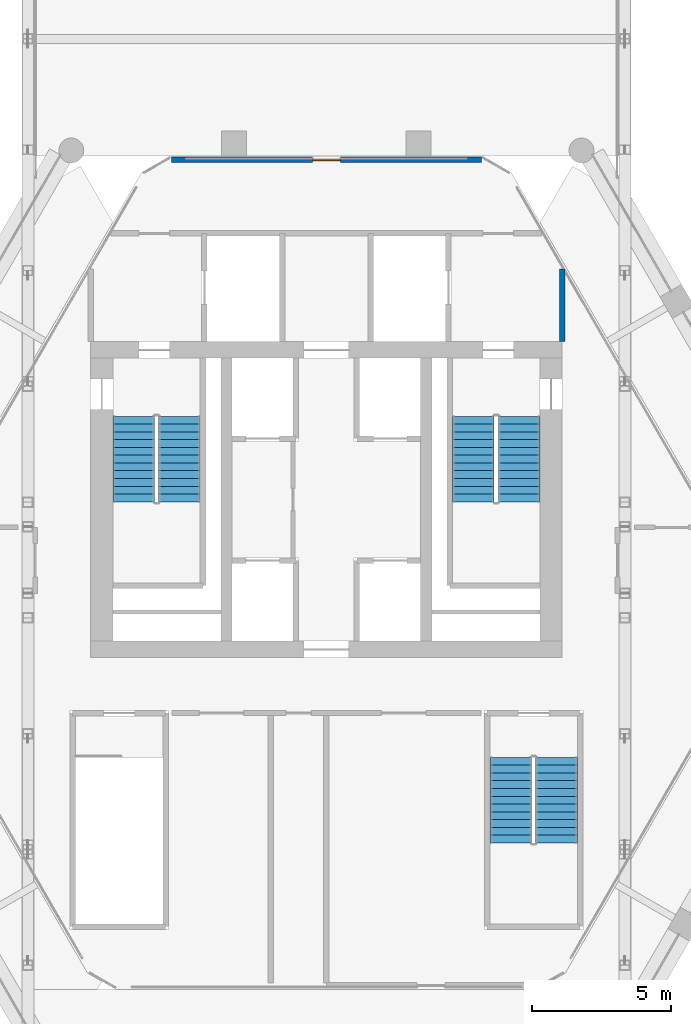
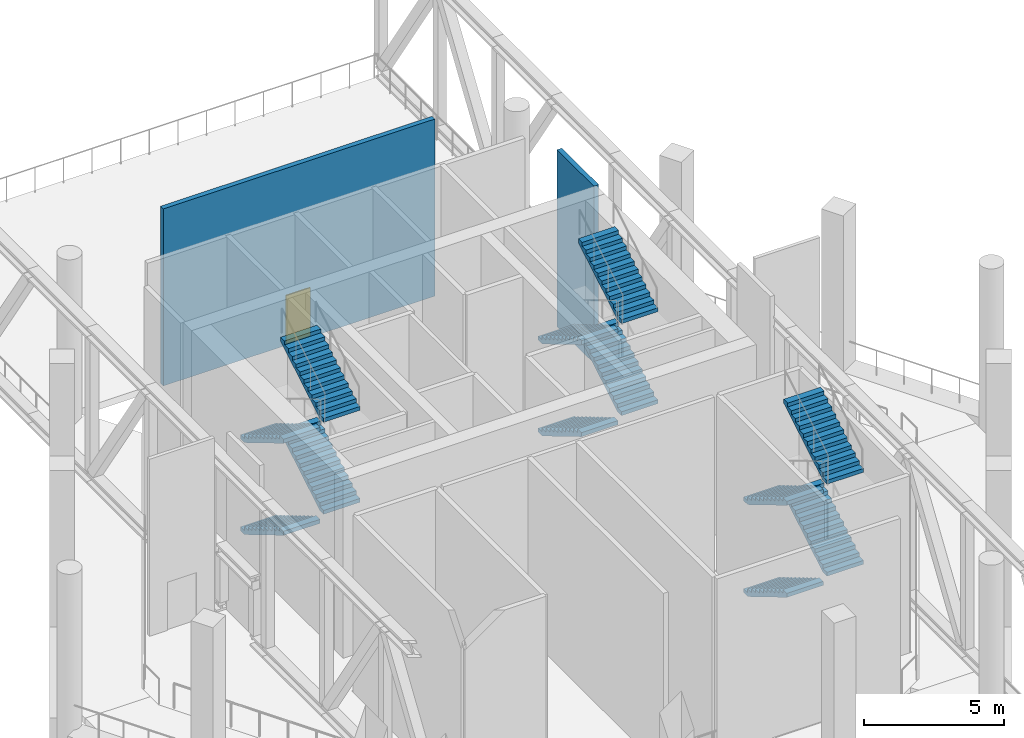
# One storey, part 7 of 14: 12 stair flights, 2 walls, 1 door, 1 opening, 3 elements without a shape of their own.
"""IFC4 building model written with IfcOpenShell, lengths in metres."""

from ifc_helpers import new_model, si_unit, direction, frame, frame_2d, origin, place, context, subcontext, project, spatial, polyline, rectangle, outline, extrude, material, layer, layer_set, type_object, element, fill, aggregate, save


model = new_model("IFC4")

# Units and contexts
model_context = context("Model", 3, precision=1e-05, world=origin(), true_north=direction((0.0, 1.0)))
body_context = subcontext(model_context, "Body", "Model", "MODEL_VIEW")
ifc_project = project(units=[si_unit("LENGTHUNIT", "METRE"), si_unit("AREAUNIT", "SQUARE_METRE"), si_unit("VOLUMEUNIT", "CUBIC_METRE"), si_unit("PLANEANGLEUNIT", "RADIAN"), si_unit("MASSUNIT", "GRAM", prefix="KILO")], contexts=[model_context])

# Site, building, storey
site_placement = place(None, origin())
site = spatial("IfcSite", under=ifc_project, at=site_placement, CompositionType="ELEMENT")
building_placement = place(site_placement, origin())
building = spatial("IfcBuilding", under=site, at=building_placement, Name="Ostrander Bayou Hotel Tower", CompositionType="ELEMENT")
storey_placement = place(building_placement, frame((0.0, 0.0, 237.0)))
storey = spatial("IfcBuildingStorey", under=building, at=storey_placement, Name="L59", CompositionType="ELEMENT", Elevation=237.0)

# Wall
ifc_material_1 = material(Name="Masonry block", Category="masonry")
ifc_layer_1 = layer(ifc_material_1, 0.199951171875)
ifc_layer_set_1 = layer_set([ifc_layer_1], Name="PT5 stair enclosure wall 200 mm masonry, 2 hour")
wall_type_1 = type_object("IfcWallType", Name="PT5 stair enclosure wall 200 mm masonry, 2 hour", PredefinedType="PARTITIONING", material=ifc_layer_set_1)
wall_1_placement = place(storey_placement, frame((8.5, 9.699951171875, 0.0), z_axis=(0.0, 0.0, 1.0), x_axis=(0.0, 1.0, 0.0)))
element("IfcWall", 1, at=wall_1_placement, inside=storey, type_object=wall_type_1, Name="cs:L59:025", PredefinedType="PARTITIONING", context=body_context, shape_type="SweptSolid", body=[
    extrude(rectangle(XDim=2.623046875, YDim=0.199951171875, at=frame_2d((1.3115234375, 0.0))), origin(), (0.0, 0.0, 1.0), 7.699951171875),
])

# Wall, opening, door
ifc_material_2 = material(Name="Masonry block", Category="masonry")
ifc_layer_2 = layer(ifc_material_2, 0.199951171875)
ifc_layer_set_2 = layer_set([ifc_layer_2], Name="PT9 exterior screen wall 200 mm masonry, 1 hour")
wall_type_2 = type_object("IfcWallType", Name="PT9 exterior screen wall 200 mm masonry, 1 hour", PredefinedType="PARTITIONING", material=ifc_layer_set_2)
wall_2_placement = place(storey_placement, frame((-5.586181640625, 16.25, 0.0), z_axis=(0.0, 0.0, 1.0), x_axis=(1.0, 0.0, 0.0)))
wall_2 = element("IfcWall", 2, at=wall_2_placement, inside=storey, type_object=wall_type_2, Name="sw:L59:009", PredefinedType="PARTITIONING", context=body_context, shape_type="SweptSolid", body=[
    extrude(rectangle(XDim=11.17236328125, YDim=0.199951171875, at=frame_2d((5.586181640625, 0.0))), origin(), (0.0, 0.0, 1.0), 7.699951171875),
])
opening_placement = place(wall_2_placement, frame((5.086181640625, 0.0, 0.0)))
opening = element("IfcOpeningElement", 3, at=opening_placement, cuts=wall_2, Name="Opening T59-208", PredefinedType="OPENING", context=body_context, shape_type="SweptSolid", body=[
    extrude(rectangle(XDim=1.0, YDim=2.10009765625, at=frame_2d((0.5, 1.050048828125))), frame((0.0, 0.10009765625, 0.0), z_axis=(0.0, -1.0, 0.0), x_axis=(1.0, 0.0, 0.0)), (0.0, 0.0, 1.0), 0.199951171875),
])
ifc_material_3 = material(Name="Timber door leaf", Category="wood")
door_type = type_object("IfcDoorType", Name="D4 corridor door 1000 x 2100 mm, 1 hour", OperationType="SINGLE_SWING_LEFT", PredefinedType="DOOR", material=ifc_material_3)
door_placement = place(opening_placement, origin())
door = element("IfcDoor", 4, at=door_placement, inside=storey, type_object=door_type, Name="dr:L59:208", OperationType="SINGLE_SWING_LEFT", OverallHeight=2.10009765625, OverallWidth=1.0, PredefinedType="DOOR", context=body_context, shape_type="SweptSolid", body=[
    extrude(rectangle(XDim=1.0, YDim=2.10009765625, at=frame_2d((0.5, 1.050048828125))), frame((0.0, 0.02490234375, 0.0), z_axis=(0.0, -1.0, 0.0), x_axis=(1.0, 0.0, 0.0)), (0.0, 0.0, 1.0), 0.050048828125),
])
fill(opening, door)

# Stair, stair flights
ifc_material_4 = material(Name="Concrete f'c 45 MPa", Category="concrete")
stair_type = type_object("IfcStairType", Name="ST1 exit stair 1500 mm f'c 45 MPa", PredefinedType="HALF_TURN_STAIR", material=ifc_material_4)
stair_1_placement = place(storey_placement, origin())
stair_1 = element("IfcStair", 5, at=stair_1_placement, inside=storey, type_object=stair_type, Name="L59 exit stair A", PredefinedType="HALF_TURN_STAIR")
ifc_material_5 = material(Name="Concrete f'c 45 MPa", Category="concrete")
stair_flight_type = type_object("IfcStairFlightType", Name="SF1 stair flight 1500 mm f'c 45 MPa", PredefinedType="STRAIGHT", material=ifc_material_5)
stair_flight_1_placement = place(storey_placement, frame((-6.949951171875, 7.0, 0.0), z_axis=(0.0, 0.0, 1.0), x_axis=(0.0, -1.0, 0.0)))
stair_flight_1 = element("IfcStairFlight", 6, at=stair_flight_1_placement, type_object=stair_flight_type, Name="STA flight 1", NumberOfRisers=12, NumberOfTreads=11, PredefinedType="STRAIGHT", RiserHeight=0.166666667, TreadLength=0.28, context=body_context, shape_type="SweptSolid", body=[
    extrude(outline(polyline([(0.0, 0.0), (0.0, 0.166748046875), (0.280029296875, 0.166748046875), (0.280029296875, 0.333251953125), (0.56005859375, 0.333251953125), (0.56005859375, 0.5), (0.840087890625, 0.5), (0.840087890625, 0.666748046875), (1.1201171875, 0.666748046875), (1.1201171875, 0.833251953125), (1.39990234375, 0.833251953125), (1.39990234375, 1.0), (1.679931640625, 1.0), (1.679931640625, 1.166748046875), (1.9599609375, 1.166748046875), (1.9599609375, 1.333251953125), (2.239990234375, 1.333251953125), (2.239990234375, 1.5), (2.52001953125, 1.5), (2.52001953125, 1.666748046875), (2.800048828125, 1.666748046875), (2.800048828125, 1.833251953125), (3.080078125, 1.833251953125), (3.080078125, 2.0), (3.080078125, 1.658935546875), (0.29296875, 0.0), (0.0, 0.0)])), frame((0.0, 0.75, 0.0), z_axis=(0.0, -1.0, 0.0), x_axis=(1.0, 0.0, 0.0)), (0.0, 0.0, 1.0), 1.5),
])
stair_flight_2_placement = place(storey_placement, frame((-5.300048828125, 3.919921875, 2.0), z_axis=(0.0, 0.0, 1.0), x_axis=(0.0, 1.0, 0.0)))
stair_flight_2 = element("IfcStairFlight", 7, at=stair_flight_2_placement, type_object=stair_flight_type, Name="STA flight 2", NumberOfRisers=12, NumberOfTreads=11, PredefinedType="STRAIGHT", RiserHeight=0.166666667, TreadLength=0.28, context=body_context, shape_type="SweptSolid", body=[
    extrude(outline(polyline([(0.0, 0.0), (0.0, 0.166748046875), (0.280029296875, 0.166748046875), (0.280029296875, 0.333251953125), (0.56005859375, 0.333251953125), (0.56005859375, 0.5), (0.840087890625, 0.5), (0.840087890625, 0.666748046875), (1.1201171875, 0.666748046875), (1.1201171875, 0.833251953125), (1.39990234375, 0.833251953125), (1.39990234375, 1.0), (1.679931640625, 1.0), (1.679931640625, 1.166748046875), (1.9599609375, 1.166748046875), (1.9599609375, 1.333251953125), (2.239990234375, 1.333251953125), (2.239990234375, 1.5), (2.52001953125, 1.5), (2.52001953125, 1.666748046875), (2.800048828125, 1.666748046875), (2.800048828125, 1.833251953125), (3.080078125, 1.833251953125), (3.080078125, 2.0), (3.080078125, 1.658935546875), (0.29296875, 0.0), (0.0, 0.0)])), frame((0.0, 0.75, 0.0), z_axis=(0.0, -1.0, 0.0), x_axis=(1.0, 0.0, 0.0)), (0.0, 0.0, 1.0), 1.5),
])
stair_flight_3_placement = place(storey_placement, frame((-6.949951171875, 7.0, 4.0), z_axis=(0.0, 0.0, 1.0), x_axis=(0.0, -1.0, 0.0)))
stair_flight_3 = element("IfcStairFlight", 8, at=stair_flight_3_placement, type_object=stair_flight_type, Name="STA flight 3", NumberOfRisers=12, NumberOfTreads=11, PredefinedType="STRAIGHT", RiserHeight=0.166666667, TreadLength=0.28, context=body_context, shape_type="SweptSolid", body=[
    extrude(outline(polyline([(0.0, 0.0), (0.0, 0.166748046875), (0.280029296875, 0.166748046875), (0.280029296875, 0.333251953125), (0.56005859375, 0.333251953125), (0.56005859375, 0.5), (0.840087890625, 0.5), (0.840087890625, 0.666748046875), (1.1201171875, 0.666748046875), (1.1201171875, 0.833251953125), (1.39990234375, 0.833251953125), (1.39990234375, 1.0), (1.679931640625, 1.0), (1.679931640625, 1.166748046875), (1.9599609375, 1.166748046875), (1.9599609375, 1.333251953125), (2.239990234375, 1.333251953125), (2.239990234375, 1.5), (2.52001953125, 1.5), (2.52001953125, 1.666748046875), (2.800048828125, 1.666748046875), (2.800048828125, 1.833251953125), (3.080078125, 1.833251953125), (3.080078125, 2.0), (3.080078125, 1.658935546875), (0.29296875, 0.0), (0.0, 0.0)])), frame((0.0, 0.75, 0.0), z_axis=(0.0, -1.0, 0.0), x_axis=(1.0, 0.0, 0.0)), (0.0, 0.0, 1.0), 1.5),
])
stair_flight_4_placement = place(storey_placement, frame((-5.300048828125, 3.919921875, 6.0), z_axis=(0.0, 0.0, 1.0), x_axis=(0.0, 1.0, 0.0)))
stair_flight_4 = element("IfcStairFlight", 9, at=stair_flight_4_placement, type_object=stair_flight_type, Name="STA flight 4", NumberOfRisers=12, NumberOfTreads=11, PredefinedType="STRAIGHT", RiserHeight=0.166666667, TreadLength=0.28, context=body_context, shape_type="SweptSolid", body=[
    extrude(outline(polyline([(0.0, 0.0), (0.0, 0.166748046875), (0.280029296875, 0.166748046875), (0.280029296875, 0.333251953125), (0.56005859375, 0.333251953125), (0.56005859375, 0.5), (0.840087890625, 0.5), (0.840087890625, 0.666748046875), (1.1201171875, 0.666748046875), (1.1201171875, 0.833251953125), (1.39990234375, 0.833251953125), (1.39990234375, 1.0), (1.679931640625, 1.0), (1.679931640625, 1.166748046875), (1.9599609375, 1.166748046875), (1.9599609375, 1.333251953125), (2.239990234375, 1.333251953125), (2.239990234375, 1.5), (2.52001953125, 1.5), (2.52001953125, 1.666748046875), (2.800048828125, 1.666748046875), (2.800048828125, 1.833251953125), (3.080078125, 1.833251953125), (3.080078125, 2.0), (3.080078125, 1.658935546875), (0.29296875, 0.0), (0.0, 0.0)])), frame((0.0, 0.75, 0.0), z_axis=(0.0, -1.0, 0.0), x_axis=(1.0, 0.0, 0.0)), (0.0, 0.0, 1.0), 1.5),
])
aggregate(stair_1, [stair_flight_1, stair_flight_2, stair_flight_3, stair_flight_4])

stair_2_placement = place(storey_placement, origin())
stair_2 = element("IfcStair", 10, at=stair_2_placement, inside=storey, type_object=stair_type, Name="L59 exit stair B", PredefinedType="HALF_TURN_STAIR")
stair_flight_5_placement = place(storey_placement, frame((5.300048828125, 7.0, 0.0), z_axis=(0.0, 0.0, 1.0), x_axis=(0.0, -1.0, 0.0)))
stair_flight_5 = element("IfcStairFlight", 11, at=stair_flight_5_placement, type_object=stair_flight_type, Name="STB flight 1", NumberOfRisers=12, NumberOfTreads=11, PredefinedType="STRAIGHT", RiserHeight=0.166666667, TreadLength=0.28, context=body_context, shape_type="SweptSolid", body=[
    extrude(outline(polyline([(0.0, 0.0), (0.0, 0.166748046875), (0.280029296875, 0.166748046875), (0.280029296875, 0.333251953125), (0.56005859375, 0.333251953125), (0.56005859375, 0.5), (0.840087890625, 0.5), (0.840087890625, 0.666748046875), (1.1201171875, 0.666748046875), (1.1201171875, 0.833251953125), (1.39990234375, 0.833251953125), (1.39990234375, 1.0), (1.679931640625, 1.0), (1.679931640625, 1.166748046875), (1.9599609375, 1.166748046875), (1.9599609375, 1.333251953125), (2.239990234375, 1.333251953125), (2.239990234375, 1.5), (2.52001953125, 1.5), (2.52001953125, 1.666748046875), (2.800048828125, 1.666748046875), (2.800048828125, 1.833251953125), (3.080078125, 1.833251953125), (3.080078125, 2.0), (3.080078125, 1.658935546875), (0.29296875, 0.0), (0.0, 0.0)])), frame((0.0, 0.75, 0.0), z_axis=(0.0, -1.0, 0.0), x_axis=(1.0, 0.0, 0.0)), (0.0, 0.0, 1.0), 1.5),
])
stair_flight_6_placement = place(storey_placement, frame((6.949951171875, 3.919921875, 2.0), z_axis=(0.0, 0.0, 1.0), x_axis=(0.0, 1.0, 0.0)))
stair_flight_6 = element("IfcStairFlight", 12, at=stair_flight_6_placement, type_object=stair_flight_type, Name="STB flight 2", NumberOfRisers=12, NumberOfTreads=11, PredefinedType="STRAIGHT", RiserHeight=0.166666667, TreadLength=0.28, context=body_context, shape_type="SweptSolid", body=[
    extrude(outline(polyline([(0.0, 0.0), (0.0, 0.166748046875), (0.280029296875, 0.166748046875), (0.280029296875, 0.333251953125), (0.56005859375, 0.333251953125), (0.56005859375, 0.5), (0.840087890625, 0.5), (0.840087890625, 0.666748046875), (1.1201171875, 0.666748046875), (1.1201171875, 0.833251953125), (1.39990234375, 0.833251953125), (1.39990234375, 1.0), (1.679931640625, 1.0), (1.679931640625, 1.166748046875), (1.9599609375, 1.166748046875), (1.9599609375, 1.333251953125), (2.239990234375, 1.333251953125), (2.239990234375, 1.5), (2.52001953125, 1.5), (2.52001953125, 1.666748046875), (2.800048828125, 1.666748046875), (2.800048828125, 1.833251953125), (3.080078125, 1.833251953125), (3.080078125, 2.0), (3.080078125, 1.658935546875), (0.29296875, 0.0), (0.0, 0.0)])), frame((0.0, 0.75, 0.0), z_axis=(0.0, -1.0, 0.0), x_axis=(1.0, 0.0, 0.0)), (0.0, 0.0, 1.0), 1.5),
])
stair_flight_7_placement = place(storey_placement, frame((5.300048828125, 7.0, 4.0), z_axis=(0.0, 0.0, 1.0), x_axis=(0.0, -1.0, 0.0)))
stair_flight_7 = element("IfcStairFlight", 13, at=stair_flight_7_placement, type_object=stair_flight_type, Name="STB flight 3", NumberOfRisers=12, NumberOfTreads=11, PredefinedType="STRAIGHT", RiserHeight=0.166666667, TreadLength=0.28, context=body_context, shape_type="SweptSolid", body=[
    extrude(outline(polyline([(0.0, 0.0), (0.0, 0.166748046875), (0.280029296875, 0.166748046875), (0.280029296875, 0.333251953125), (0.56005859375, 0.333251953125), (0.56005859375, 0.5), (0.840087890625, 0.5), (0.840087890625, 0.666748046875), (1.1201171875, 0.666748046875), (1.1201171875, 0.833251953125), (1.39990234375, 0.833251953125), (1.39990234375, 1.0), (1.679931640625, 1.0), (1.679931640625, 1.166748046875), (1.9599609375, 1.166748046875), (1.9599609375, 1.333251953125), (2.239990234375, 1.333251953125), (2.239990234375, 1.5), (2.52001953125, 1.5), (2.52001953125, 1.666748046875), (2.800048828125, 1.666748046875), (2.800048828125, 1.833251953125), (3.080078125, 1.833251953125), (3.080078125, 2.0), (3.080078125, 1.658935546875), (0.29296875, 0.0), (0.0, 0.0)])), frame((0.0, 0.75, 0.0), z_axis=(0.0, -1.0, 0.0), x_axis=(1.0, 0.0, 0.0)), (0.0, 0.0, 1.0), 1.5),
])
stair_flight_8_placement = place(storey_placement, frame((6.949951171875, 3.919921875, 6.0), z_axis=(0.0, 0.0, 1.0), x_axis=(0.0, 1.0, 0.0)))
stair_flight_8 = element("IfcStairFlight", 14, at=stair_flight_8_placement, type_object=stair_flight_type, Name="STB flight 4", NumberOfRisers=12, NumberOfTreads=11, PredefinedType="STRAIGHT", RiserHeight=0.166666667, TreadLength=0.28, context=body_context, shape_type="SweptSolid", body=[
    extrude(outline(polyline([(0.0, 0.0), (0.0, 0.166748046875), (0.280029296875, 0.166748046875), (0.280029296875, 0.333251953125), (0.56005859375, 0.333251953125), (0.56005859375, 0.5), (0.840087890625, 0.5), (0.840087890625, 0.666748046875), (1.1201171875, 0.666748046875), (1.1201171875, 0.833251953125), (1.39990234375, 0.833251953125), (1.39990234375, 1.0), (1.679931640625, 1.0), (1.679931640625, 1.166748046875), (1.9599609375, 1.166748046875), (1.9599609375, 1.333251953125), (2.239990234375, 1.333251953125), (2.239990234375, 1.5), (2.52001953125, 1.5), (2.52001953125, 1.666748046875), (2.800048828125, 1.666748046875), (2.800048828125, 1.833251953125), (3.080078125, 1.833251953125), (3.080078125, 2.0), (3.080078125, 1.658935546875), (0.29296875, 0.0), (0.0, 0.0)])), frame((0.0, 0.75, 0.0), z_axis=(0.0, -1.0, 0.0), x_axis=(1.0, 0.0, 0.0)), (0.0, 0.0, 1.0), 1.5),
])
aggregate(stair_2, [stair_flight_5, stair_flight_6, stair_flight_7, stair_flight_8])

stair_3_placement = place(storey_placement, origin())
stair_3 = element("IfcStair", 15, at=stair_3_placement, inside=storey, type_object=stair_type, Name="L59 exit stair C", PredefinedType="HALF_TURN_STAIR")
stair_flight_9_placement = place(storey_placement, frame((6.64990234375, -5.300048828125, 0.0), z_axis=(0.0, 0.0, 1.0), x_axis=(0.0, -1.0, 0.0)))
stair_flight_9 = element("IfcStairFlight", 16, at=stair_flight_9_placement, type_object=stair_flight_type, Name="STC flight 1", NumberOfRisers=12, NumberOfTreads=11, PredefinedType="STRAIGHT", RiserHeight=0.166666667, TreadLength=0.28, context=body_context, shape_type="SweptSolid", body=[
    extrude(outline(polyline([(0.0, 0.0), (0.0, 0.166748046875), (0.280029296875, 0.166748046875), (0.280029296875, 0.333251953125), (0.56005859375, 0.333251953125), (0.56005859375, 0.5), (0.840087890625, 0.5), (0.840087890625, 0.666748046875), (1.1201171875, 0.666748046875), (1.1201171875, 0.833251953125), (1.39990234375, 0.833251953125), (1.39990234375, 1.0), (1.679931640625, 1.0), (1.679931640625, 1.166748046875), (1.9599609375, 1.166748046875), (1.9599609375, 1.333251953125), (2.239990234375, 1.333251953125), (2.239990234375, 1.5), (2.52001953125, 1.5), (2.52001953125, 1.666748046875), (2.800048828125, 1.666748046875), (2.800048828125, 1.833251953125), (3.080078125, 1.833251953125), (3.080078125, 2.0), (3.080078125, 1.658935546875), (0.29296875, 0.0), (0.0, 0.0)])), frame((0.0, 0.75, 0.0), z_axis=(0.0, -1.0, 0.0), x_axis=(1.0, 0.0, 0.0)), (0.0, 0.0, 1.0), 1.5),
])
stair_flight_10_placement = place(storey_placement, frame((8.300048828125, -8.3798828125, 2.0), z_axis=(0.0, 0.0, 1.0), x_axis=(0.0, 1.0, 0.0)))
stair_flight_10 = element("IfcStairFlight", 17, at=stair_flight_10_placement, type_object=stair_flight_type, Name="STC flight 2", NumberOfRisers=12, NumberOfTreads=11, PredefinedType="STRAIGHT", RiserHeight=0.166666667, TreadLength=0.28, context=body_context, shape_type="SweptSolid", body=[
    extrude(outline(polyline([(0.0, 0.0), (0.0, 0.166748046875), (0.280029296875, 0.166748046875), (0.280029296875, 0.333251953125), (0.56005859375, 0.333251953125), (0.56005859375, 0.5), (0.840087890625, 0.5), (0.840087890625, 0.666748046875), (1.1201171875, 0.666748046875), (1.1201171875, 0.833251953125), (1.39990234375, 0.833251953125), (1.39990234375, 1.0), (1.679931640625, 1.0), (1.679931640625, 1.166748046875), (1.9599609375, 1.166748046875), (1.9599609375, 1.333251953125), (2.239990234375, 1.333251953125), (2.239990234375, 1.5), (2.52001953125, 1.5), (2.52001953125, 1.666748046875), (2.800048828125, 1.666748046875), (2.800048828125, 1.833251953125), (3.080078125, 1.833251953125), (3.080078125, 2.0), (3.080078125, 1.658935546875), (0.29296875, 0.0), (0.0, 0.0)])), frame((0.0, 0.75, 0.0), z_axis=(0.0, -1.0, 0.0), x_axis=(1.0, 0.0, 0.0)), (0.0, 0.0, 1.0), 1.5),
])
stair_flight_11_placement = place(storey_placement, frame((6.64990234375, -5.300048828125, 4.0), z_axis=(0.0, 0.0, 1.0), x_axis=(0.0, -1.0, 0.0)))
stair_flight_11 = element("IfcStairFlight", 18, at=stair_flight_11_placement, type_object=stair_flight_type, Name="STC flight 3", NumberOfRisers=12, NumberOfTreads=11, PredefinedType="STRAIGHT", RiserHeight=0.166666667, TreadLength=0.28, context=body_context, shape_type="SweptSolid", body=[
    extrude(outline(polyline([(0.0, 0.0), (0.0, 0.166748046875), (0.280029296875, 0.166748046875), (0.280029296875, 0.333251953125), (0.56005859375, 0.333251953125), (0.56005859375, 0.5), (0.840087890625, 0.5), (0.840087890625, 0.666748046875), (1.1201171875, 0.666748046875), (1.1201171875, 0.833251953125), (1.39990234375, 0.833251953125), (1.39990234375, 1.0), (1.679931640625, 1.0), (1.679931640625, 1.166748046875), (1.9599609375, 1.166748046875), (1.9599609375, 1.333251953125), (2.239990234375, 1.333251953125), (2.239990234375, 1.5), (2.52001953125, 1.5), (2.52001953125, 1.666748046875), (2.800048828125, 1.666748046875), (2.800048828125, 1.833251953125), (3.080078125, 1.833251953125), (3.080078125, 2.0), (3.080078125, 1.658935546875), (0.29296875, 0.0), (0.0, 0.0)])), frame((0.0, 0.75, 0.0), z_axis=(0.0, -1.0, 0.0), x_axis=(1.0, 0.0, 0.0)), (0.0, 0.0, 1.0), 1.5),
])
stair_flight_12_placement = place(storey_placement, frame((8.300048828125, -8.3798828125, 6.0), z_axis=(0.0, 0.0, 1.0), x_axis=(0.0, 1.0, 0.0)))
stair_flight_12 = element("IfcStairFlight", 19, at=stair_flight_12_placement, type_object=stair_flight_type, Name="STC flight 4", NumberOfRisers=12, NumberOfTreads=11, PredefinedType="STRAIGHT", RiserHeight=0.166666667, TreadLength=0.28, context=body_context, shape_type="SweptSolid", body=[
    extrude(outline(polyline([(0.0, 0.0), (0.0, 0.166748046875), (0.280029296875, 0.166748046875), (0.280029296875, 0.333251953125), (0.56005859375, 0.333251953125), (0.56005859375, 0.5), (0.840087890625, 0.5), (0.840087890625, 0.666748046875), (1.1201171875, 0.666748046875), (1.1201171875, 0.833251953125), (1.39990234375, 0.833251953125), (1.39990234375, 1.0), (1.679931640625, 1.0), (1.679931640625, 1.166748046875), (1.9599609375, 1.166748046875), (1.9599609375, 1.333251953125), (2.239990234375, 1.333251953125), (2.239990234375, 1.5), (2.52001953125, 1.5), (2.52001953125, 1.666748046875), (2.800048828125, 1.666748046875), (2.800048828125, 1.833251953125), (3.080078125, 1.833251953125), (3.080078125, 2.0), (3.080078125, 1.658935546875), (0.29296875, 0.0), (0.0, 0.0)])), frame((0.0, 0.75, 0.0), z_axis=(0.0, -1.0, 0.0), x_axis=(1.0, 0.0, 0.0)), (0.0, 0.0, 1.0), 1.5),
])
aggregate(stair_3, [stair_flight_9, stair_flight_10, stair_flight_11, stair_flight_12])

save(model, "model.ifc")
